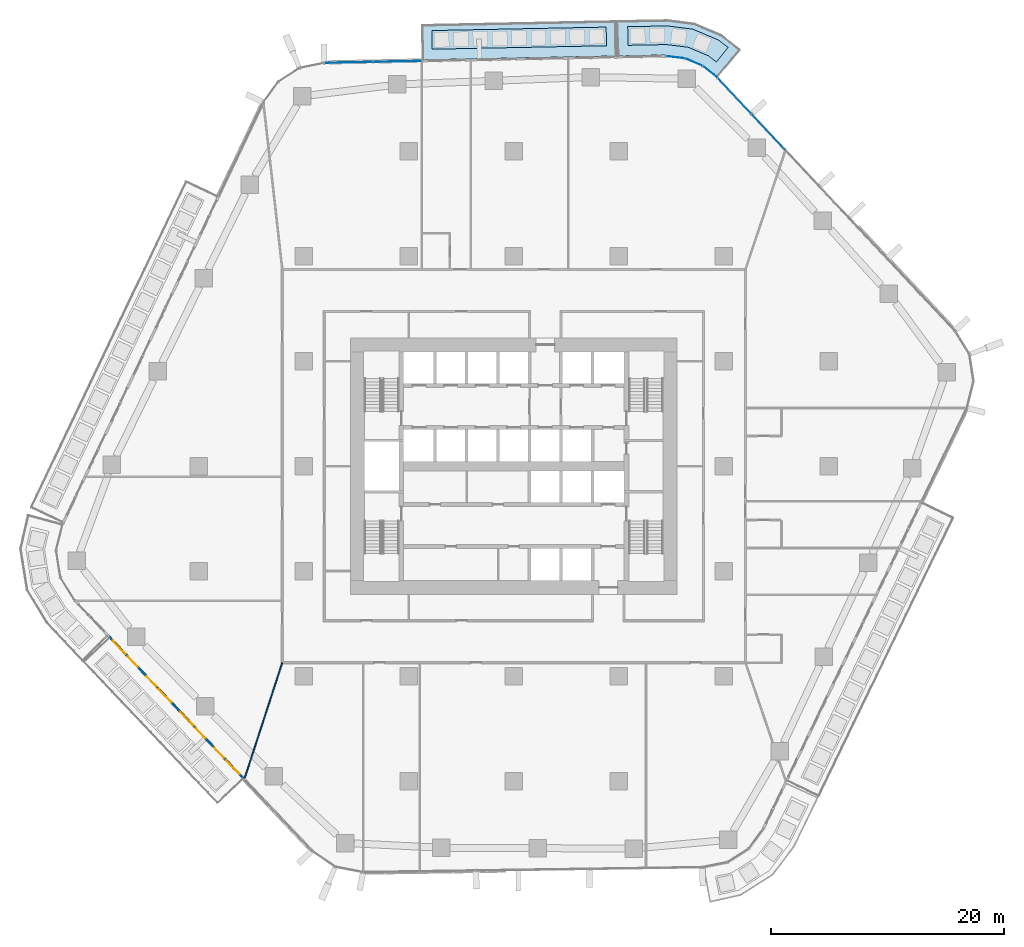
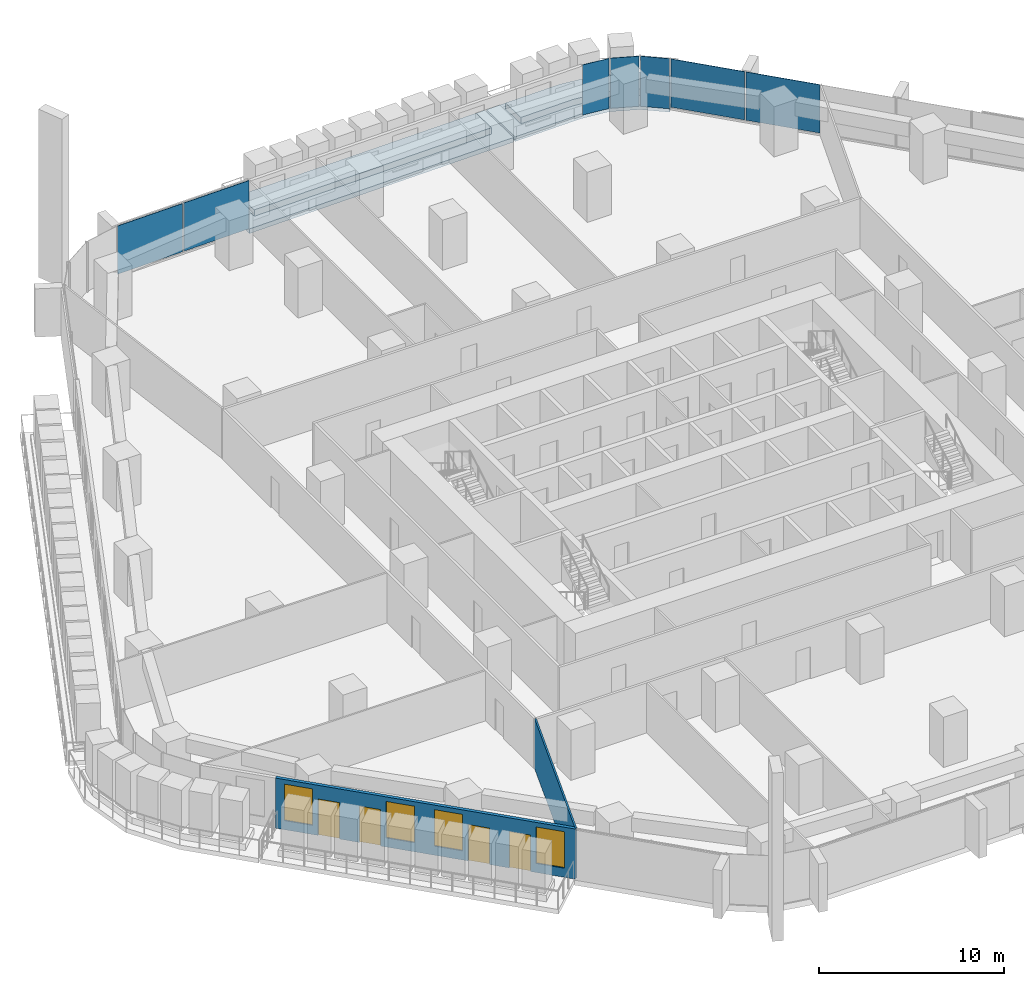
# One storey, part 11 of 24: 7 plates, 4 doors, 4 slabs, 4 windows, 2 walls, 8 openings, 3 elements without a shape of their own.
"""IFC4 building model written with IfcOpenShell, lengths in metres."""

from ifc_helpers import new_model, si_unit, direction, frame, frame_2d, origin, origin_2d, place, context, subcontext, project, spatial, polyline, rectangle, outline, extrude, material, layer, layer_set, type_object, element, fill, aggregate, save


model = new_model("IFC4")

# Units and contexts
model_context = context("Model", 3, precision=1e-05, world=origin(), true_north=direction((0.0, 1.0)))
body_context = subcontext(model_context, "Body", "Model", "MODEL_VIEW")
ifc_project = project(units=[si_unit("LENGTHUNIT", "METRE"), si_unit("AREAUNIT", "SQUARE_METRE"), si_unit("VOLUMEUNIT", "CUBIC_METRE"), si_unit("PLANEANGLEUNIT", "RADIAN"), si_unit("MASSUNIT", "GRAM", prefix="KILO")], contexts=[model_context])

# Site, building, storey
site_placement = place(None, origin())
site = spatial("IfcSite", under=ifc_project, at=site_placement, CompositionType="ELEMENT")
building_placement = place(site_placement, origin())
building = spatial("IfcBuilding", under=site, at=building_placement, Name="Dongbaek Canopy Tower", CompositionType="ELEMENT")
storey_placement = place(building_placement, frame((0.0, 0.0, 44.0)))
storey = spatial("IfcBuildingStorey", under=building, at=storey_placement, Name="L06", CompositionType="ELEMENT", Elevation=44.0)

# Slabs
ifc_material_1 = material(Name="Concrete C40/50", Category="concrete")
ifc_layer_1 = layer(ifc_material_1, 0.300048828125)
ifc_layer_set_1 = layer_set([ifc_layer_1], Name="Balcony slab 300")
slab_type_1 = type_object("IfcSlabType", Name="Balcony slab 300", PredefinedType="FLOOR", material=ifc_layer_set_1)
slab_1_placement = place(storey_placement, frame((0.0, 0.0, -0.300048828125)))
element("IfcSlab", 1, at=slab_1_placement, inside=storey, type_object=slab_type_1, Name="Balcony L06 1", PredefinedType="FLOOR", context=body_context, shape_type="SweptSolid", body=[
    extrude(outline(polyline([(8.809814453125, 35.161865234375), (-7.839599609375, 34.829833984375), (-7.8994140625, 37.829345703125), (8.75, 38.1611328125), (8.809814453125, 35.161865234375)])), origin(), (0.0, 0.0, 1.0), 0.300048828125),
])
slab_2_placement = place(storey_placement, frame((0.0, 0.0, -0.300048828125)))
element("IfcSlab", 2, at=slab_2_placement, inside=storey, type_object=slab_type_1, Name="Balcony L06 5", PredefinedType="FLOOR", context=body_context, shape_type="SweptSolid", body=[
    extrude(outline(polyline([(17.50390625, 33.383544921875), (16.24267578125, 34.39892578125), (14.704345703125, 35.046875), (13.047119140625, 35.24609375), (8.90966796875, 35.163818359375), (8.849853515625, 38.1630859375), (13.196533203125, 38.242431640625), (15.47314453125, 37.94677734375), (17.780517578125, 36.974609375), (19.38525390625, 35.72021484375), (17.50390625, 33.383544921875)])), origin(), (0.0, 0.0, 1.0), 0.300048828125),
])

# Curtain wall, plates
ifc_material_2 = material(Name="Aluminium 6063-T6 pale anodised", Category="aluminium")
ifc_layer_2 = layer(ifc_material_2, 0.199951171875)
ifc_layer_set_2 = layer_set([ifc_layer_2], Name="CW-1 unitised tower curtain wall")
curtain_wall_type = type_object("IfcCurtainWallType", Name="CW-1 unitised tower curtain wall", PredefinedType="NOTDEFINED", material=ifc_layer_set_2)
curtain_wall_1_placement = place(storey_placement, origin())
curtain_wall_1 = element("IfcCurtainWall", 3, at=curtain_wall_1_placement, inside=storey, type_object=curtain_wall_type, Name="CW-1 curtain wall F0.1", PredefinedType="NOTDEFINED")
ifc_material_3 = material(Name="Clear laminated glass", Category="glass")
ifc_layer_3 = layer(ifc_material_3, 0.028076171875)
ifc_layer_set_3 = layer_set([ifc_layer_3], Name="CW-1 glazed panel 28")
plate_type = type_object("IfcPlateType", Name="CW-1 glazed panel 28", PredefinedType="CURTAIN_PANEL", material=ifc_layer_set_3)
plate_1_placement = place(storey_placement, frame((21.830078125, 28.63525390625, 0.1201171875), z_axis=(0.0, 0.0, 1.0), x_axis=(-0.684120242484, 0.729369243815, 0.0)))
plate_1 = element("IfcPlate", 4, at=plate_1_placement, type_object=plate_type, Name="CW-1 panel F0.1.6.1", PredefinedType="CURTAIN_PANEL", context=body_context, shape_type="SweptSolid", body=[
    extrude(rectangle(XDim=4.164794921875, YDim=0.028076171875, at=origin_2d()), origin(), (0.0, 0.0, 1.0), 3.179931640625),
])
plate_2_placement = place(storey_placement, frame((18.925537109375, 31.731689453125, 0.1201171875), z_axis=(0.0, 0.0, 1.0), x_axis=(-0.684120242484, 0.729369243815, 0.0)))
plate_2 = element("IfcPlate", 5, at=plate_2_placement, type_object=plate_type, Name="CW-1 panel F0.1.7.1", PredefinedType="CURTAIN_PANEL", context=body_context, shape_type="SweptSolid", body=[
    extrude(rectangle(XDim=4.157958984375, YDim=0.028076171875, at=origin_2d()), origin(), (0.0, 0.0, 1.0), 3.179931640625),
])
aggregate(curtain_wall_1, [plate_1, plate_2])

curtain_wall_2_placement = place(storey_placement, origin())
curtain_wall_2 = element("IfcCurtainWall", 6, at=curtain_wall_2_placement, inside=storey, type_object=curtain_wall_type, Name="CW-1 curtain wall K1.1", PredefinedType="NOTDEFINED")
plate_3_placement = place(storey_placement, frame((16.832763671875, 33.79541015625, 0.0), z_axis=(0.0, 0.0, 1.0), x_axis=(-0.778925916436, 0.627115951562, 0.0)))
plate_3 = element("IfcPlate", 7, at=plate_3_placement, type_object=plate_type, Name="CW-1 panel K1.1.1.1", PredefinedType="CURTAIN_PANEL", context=body_context, shape_type="SweptSolid", body=[
    extrude(rectangle(XDim=1.564208984375, YDim=0.028076171875, at=origin_2d()), origin(), (0.0, 0.0, 1.0), 3.300048828125),
])
plate_4_placement = place(storey_placement, frame((15.4345703125, 34.630859375, 0.0), z_axis=(0.0, 0.0, 1.0), x_axis=(-0.921552400482, 0.388254005988, 0.0)))
plate_4 = element("IfcPlate", 8, at=plate_4_placement, type_object=plate_type, Name="CW-1 panel K1.1.2.1", PredefinedType="CURTAIN_PANEL", context=body_context, shape_type="SweptSolid", body=[
    extrude(rectangle(XDim=1.55712890625, YDim=0.028076171875, at=origin_2d()), origin(), (0.0, 0.0, 1.0), 3.300048828125),
])
plate_5_placement = place(storey_placement, frame((13.860107421875, 35.0478515625, 0.0), z_axis=(0.0, 0.0, 1.0), x_axis=(-0.992853177302, 0.119342231926, 0.0)))
plate_5 = element("IfcPlate", 9, at=plate_5_placement, type_object=plate_type, Name="CW-1 panel K1.1.3.1", PredefinedType="CURTAIN_PANEL", context=body_context, shape_type="SweptSolid", body=[
    extrude(rectangle(XDim=1.564208984375, YDim=0.028076171875, at=origin_2d()), origin(), (0.0, 0.0, 1.0), 3.300048828125),
])
aggregate(curtain_wall_2, [plate_3, plate_4, plate_5])

curtain_wall_3_placement = place(storey_placement, origin())
curtain_wall_3 = element("IfcCurtainWall", 10, at=curtain_wall_3_placement, inside=storey, type_object=curtain_wall_type, Name="CW-1 curtain wall F1.1", PredefinedType="NOTDEFINED")
plate_6_placement = place(storey_placement, frame((-9.981201171875, 34.687255859375, 0.1201171875), z_axis=(0.0, 0.0, 1.0), x_axis=(-0.999801462382, -0.019925757664, 0.0)))
plate_6 = element("IfcPlate", 11, at=plate_6_placement, type_object=plate_type, Name="CW-1 panel F1.1.1.1", PredefinedType="CURTAIN_PANEL", context=body_context, shape_type="SweptSolid", body=[
    extrude(rectangle(XDim=4.104248046875, YDim=0.028076171875, at=origin_2d()), origin(), (0.0, 0.0, 1.0), 3.179931640625),
])
plate_7_placement = place(storey_placement, frame((-14.1640625, 34.603759765625, 0.1201171875), z_axis=(0.0, 0.0, 1.0), x_axis=(-0.999801462382, -0.019925757664, 0.0)))
plate_7 = element("IfcPlate", 12, at=plate_7_placement, type_object=plate_type, Name="CW-1 panel F1.1.2.1", PredefinedType="CURTAIN_PANEL", context=body_context, shape_type="SweptSolid", body=[
    extrude(rectangle(XDim=4.094970703125, YDim=0.028076171875, at=origin_2d()), origin(), (0.0, 0.0, 1.0), 3.179931640625),
])
aggregate(curtain_wall_3, [plate_6, plate_7])

# Slabs
ifc_material_4 = material(Name="Reinforced concrete C40/50 planter box with soil", Category="concrete")
ifc_layer_4 = layer(ifc_material_4, 0.419921875)
ifc_layer_set_4 = layer_set([ifc_layer_4], Name="Terrace planter box 1600 x 420")
slab_type_2 = type_object("IfcSlabType", Name="Terrace planter box 1600 x 420", PredefinedType="USERDEFINED", material=ifc_layer_set_4)
slab_3_placement = place(storey_placement, origin())
element("IfcSlab", 13, at=slab_3_placement, inside=storey, type_object=slab_type_2, Name="Balcony planter L06 1", ObjectType="PLANTER", PredefinedType="USERDEFINED", context=body_context, shape_type="SweptSolid", body=[
    extrude(outline(polyline([(7.942138671875, 36.03466796875), (-7.007568359375, 35.736572265625), (-7.039306640625, 37.33642578125), (7.91015625, 37.63427734375), (7.942138671875, 36.03466796875)])), origin(), (0.0, 0.0, 1.0), 0.419921875),
])
slab_4_placement = place(storey_placement, origin())
element("IfcSlab", 14, at=slab_4_placement, inside=storey, type_object=slab_type_2, Name="Balcony planter L06 5", ObjectType="PLANTER", PredefinedType="USERDEFINED", context=body_context, shape_type="SweptSolid", body=[
    extrude(outline(polyline([(17.36083984375, 34.64111328125), (16.698974609375, 35.1630859375), (14.932373046875, 35.9072265625), (13.09130859375, 36.135009765625), (9.791748046875, 36.071533203125), (9.759765625, 37.671142578125), (13.171142578125, 37.733154296875), (15.342529296875, 37.453857421875), (17.51904296875, 36.536865234375), (18.3642578125, 35.887451171875), (17.36083984375, 34.64111328125)])), origin(), (0.0, 0.0, 1.0), 0.419921875),
])

# Wall
ifc_material_5 = material(Name="Gypsum board partition, steel stud, 2 x 12.5 mm board", Category="steel")
ifc_layer_5 = layer(ifc_material_5, 0.10009765625)
ifc_layer_set_5 = layer_set([ifc_layer_5], Name="Partition 100 gypsum board")
wall_type_1 = type_object("IfcWallType", Name="Partition 100 gypsum board", PredefinedType="PARTITIONING", material=ifc_layer_set_5)
wall_1_placement = place(storey_placement, frame((-23.10107421875, -26.826416015625, 0.0), z_axis=(0.0, 0.0, 1.0), x_axis=(0.309854630824, 0.950783943784, 0.0)))
element("IfcWall", 15, at=wall_1_placement, inside=storey, type_object=wall_type_1, Name="Partition", PredefinedType="PARTITIONING", context=body_context, shape_type="SweptSolid", body=[
    extrude(rectangle(XDim=10.49267578125, YDim=0.10009765625, at=frame_2d((5.246337890625, 0.0))), origin(), (0.0, 0.0, 1.0), 3.300048828125),
])

# Wall, openings, doors, windows
ifc_material_6 = material(Name="Aluminium window wall", Category="aluminium")
ifc_layer_6 = layer(ifc_material_6, 0.199951171875)
ifc_layer_set_6 = layer_set([ifc_layer_6], Name="Window wall 200")
wall_type_2 = type_object("IfcWallType", Name="Window wall 200", PredefinedType="SOLIDWALL", material=ifc_layer_set_6)
wall_2_placement = place(storey_placement, frame((-34.723876953125, -14.59814453125, 0.0), z_axis=(0.0, 0.0, 1.0), x_axis=(0.688093946104, -0.725621610301, 0.0)))
wall_2 = element("IfcWall", 16, at=wall_2_placement, inside=storey, type_object=wall_type_2, Name="Window wall L06 3", PredefinedType="SOLIDWALL", context=body_context, shape_type="SweptSolid", body=[
    extrude(rectangle(XDim=16.882080078125, YDim=0.199951171875, at=frame_2d((8.44091796875, 0.0))), origin(), (0.0, 0.0, 1.0), 3.300048828125),
])
opening_1_placement = place(wall_2_placement, frame((0.5, 0.0, 0.60009765625)))
opening_1 = element("IfcOpeningElement", 17, at=opening_1_placement, cuts=wall_2, Name="Opening W1", PredefinedType="OPENING", context=body_context, shape_type="SweptSolid", body=[
    extrude(rectangle(XDim=1.60009765625, YDim=2.39990234375, at=frame_2d((0.800048828125, 1.199951171875))), frame((0.0, 0.10986328125, 0.0), z_axis=(0.0, -1.0, 0.0), x_axis=(1.0, 0.0, 0.0)), (0.0, 0.0, 1.0), 0.219970703125),
])
opening_2_placement = place(wall_2_placement, frame((2.39990234375, 0.0, 0.0)))
opening_2 = element("IfcOpeningElement", 18, at=opening_2_placement, cuts=wall_2, Name="Opening L06-B13", PredefinedType="OPENING", context=body_context, shape_type="SweptSolid", body=[
    extrude(rectangle(XDim=1.199951171875, YDim=2.39990234375, at=frame_2d((0.60009765625, 1.199951171875))), frame((0.0, 0.10986328125, 0.0), z_axis=(0.0, -1.0, 0.0), x_axis=(1.0, 0.0, 0.0)), (0.0, 0.0, 1.0), 0.219970703125),
])
opening_3_placement = place(wall_2_placement, frame((6.220458984375, 0.0, 0.60009765625)))
opening_3 = element("IfcOpeningElement", 19, at=opening_3_placement, cuts=wall_2, Name="Opening W1", PredefinedType="OPENING", context=body_context, shape_type="SweptSolid", body=[
    extrude(rectangle(XDim=1.60009765625, YDim=2.39990234375, at=frame_2d((0.800048828125, 1.199951171875))), frame((0.0, 0.10986328125, 0.0), z_axis=(0.0, -1.0, 0.0), x_axis=(1.0, 0.0, 0.0)), (0.0, 0.0, 1.0), 0.219970703125),
])
opening_4_placement = place(wall_2_placement, frame((4.720458984375, 0.0, 0.0)))
opening_4 = element("IfcOpeningElement", 20, at=opening_4_placement, cuts=wall_2, Name="Opening L06-B14", PredefinedType="OPENING", context=body_context, shape_type="SweptSolid", body=[
    extrude(rectangle(XDim=1.199951171875, YDim=2.39990234375, at=frame_2d((0.60009765625, 1.199951171875))), frame((0.0, 0.10986328125, 0.0), z_axis=(0.0, -1.0, 0.0), x_axis=(1.0, 0.0, 0.0)), (0.0, 0.0, 1.0), 0.219970703125),
])
opening_5_placement = place(wall_2_placement, frame((8.941162109375, 0.0, 0.60009765625)))
opening_5 = element("IfcOpeningElement", 21, at=opening_5_placement, cuts=wall_2, Name="Opening W1", PredefinedType="OPENING", context=body_context, shape_type="SweptSolid", body=[
    extrude(rectangle(XDim=1.60009765625, YDim=2.39990234375, at=frame_2d((0.800048828125, 1.199951171875))), frame((0.0, 0.10986328125, 0.0), z_axis=(0.0, -1.0, 0.0), x_axis=(1.0, 0.0, 0.0)), (0.0, 0.0, 1.0), 0.219970703125),
])
opening_6_placement = place(wall_2_placement, frame((10.841064453125, 0.0, 0.0)))
opening_6 = element("IfcOpeningElement", 22, at=opening_6_placement, cuts=wall_2, Name="Opening L06-B15", PredefinedType="OPENING", context=body_context, shape_type="SweptSolid", body=[
    extrude(rectangle(XDim=1.199951171875, YDim=2.39990234375, at=frame_2d((0.60009765625, 1.199951171875))), frame((0.0, 0.10986328125, 0.0), z_axis=(0.0, -1.0, 0.0), x_axis=(1.0, 0.0, 0.0)), (0.0, 0.0, 1.0), 0.219970703125),
])
opening_7_placement = place(wall_2_placement, frame((14.66162109375, 0.0, 0.60009765625)))
opening_7 = element("IfcOpeningElement", 23, at=opening_7_placement, cuts=wall_2, Name="Opening W1", PredefinedType="OPENING", context=body_context, shape_type="SweptSolid", body=[
    extrude(rectangle(XDim=1.60009765625, YDim=2.39990234375, at=frame_2d((0.800048828125, 1.199951171875))), frame((0.0, 0.10986328125, 0.0), z_axis=(0.0, -1.0, 0.0), x_axis=(1.0, 0.0, 0.0)), (0.0, 0.0, 1.0), 0.219970703125),
])
opening_8_placement = place(wall_2_placement, frame((13.16162109375, 0.0, 0.0)))
opening_8 = element("IfcOpeningElement", 24, at=opening_8_placement, cuts=wall_2, Name="Opening L06-B16", PredefinedType="OPENING", context=body_context, shape_type="SweptSolid", body=[
    extrude(rectangle(XDim=1.199951171875, YDim=2.39990234375, at=frame_2d((0.60009765625, 1.199951171875))), frame((0.0, 0.10986328125, 0.0), z_axis=(0.0, -1.0, 0.0), x_axis=(1.0, 0.0, 0.0)), (0.0, 0.0, 1.0), 0.219970703125),
])
ifc_material_7 = material(Name="Clear glazing in aluminium frame", Category="aluminium")
door_type = type_object("IfcDoorType", Name="Balcony door BD1 1200 x 2400", OperationType="SLIDING_TO_LEFT", PredefinedType="DOOR", material=ifc_material_7)
door_1_placement = place(opening_2_placement, origin())
door_1 = element("IfcDoor", 25, at=door_1_placement, inside=storey, type_object=door_type, Name="Balcony door L06-B13", OperationType="SLIDING_TO_LEFT", OverallHeight=2.39990234375, OverallWidth=1.199951171875, PredefinedType="DOOR", context=body_context, shape_type="SweptSolid", body=[
    extrude(rectangle(XDim=1.199951171875, YDim=2.39990234375, at=frame_2d((0.60009765625, 1.199951171875))), frame((0.0, 0.02490234375, 0.0), z_axis=(0.0, -1.0, 0.0), x_axis=(1.0, 0.0, 0.0)), (0.0, 0.0, 1.0), 0.050048828125),
])
fill(opening_2, door_1)
door_2_placement = place(opening_4_placement, origin())
door_2 = element("IfcDoor", 26, at=door_2_placement, inside=storey, type_object=door_type, Name="Balcony door L06-B14", OperationType="SLIDING_TO_LEFT", OverallHeight=2.39990234375, OverallWidth=1.199951171875, PredefinedType="DOOR", context=body_context, shape_type="SweptSolid", body=[
    extrude(rectangle(XDim=1.199951171875, YDim=2.39990234375, at=frame_2d((0.60009765625, 1.199951171875))), frame((0.0, 0.02490234375, 0.0), z_axis=(0.0, -1.0, 0.0), x_axis=(1.0, 0.0, 0.0)), (0.0, 0.0, 1.0), 0.050048828125),
])
fill(opening_4, door_2)
door_3_placement = place(opening_6_placement, origin())
door_3 = element("IfcDoor", 27, at=door_3_placement, inside=storey, type_object=door_type, Name="Balcony door L06-B15", OperationType="SLIDING_TO_LEFT", OverallHeight=2.39990234375, OverallWidth=1.199951171875, PredefinedType="DOOR", context=body_context, shape_type="SweptSolid", body=[
    extrude(rectangle(XDim=1.199951171875, YDim=2.39990234375, at=frame_2d((0.60009765625, 1.199951171875))), frame((0.0, 0.02490234375, 0.0), z_axis=(0.0, -1.0, 0.0), x_axis=(1.0, 0.0, 0.0)), (0.0, 0.0, 1.0), 0.050048828125),
])
fill(opening_6, door_3)
door_4_placement = place(opening_8_placement, origin())
door_4 = element("IfcDoor", 28, at=door_4_placement, inside=storey, type_object=door_type, Name="Balcony door L06-B16", OperationType="SLIDING_TO_LEFT", OverallHeight=2.39990234375, OverallWidth=1.199951171875, PredefinedType="DOOR", context=body_context, shape_type="SweptSolid", body=[
    extrude(rectangle(XDim=1.199951171875, YDim=2.39990234375, at=frame_2d((0.60009765625, 1.199951171875))), frame((0.0, 0.02490234375, 0.0), z_axis=(0.0, -1.0, 0.0), x_axis=(1.0, 0.0, 0.0)), (0.0, 0.0, 1.0), 0.050048828125),
])
fill(opening_8, door_4)
ifc_material_8 = material(Name="Clear glazing in aluminium frame", Category="aluminium")
window_type = type_object("IfcWindowType", Name="Window W1 1600 x 2400", PartitioningType="SINGLE_PANEL", PredefinedType="WINDOW", material=ifc_material_8)
window_1_placement = place(opening_1_placement, origin())
window_1 = element("IfcWindow", 29, at=window_1_placement, inside=storey, type_object=window_type, Name="Window L06 3.1", OverallHeight=2.39990234375, OverallWidth=1.60009765625, PartitioningType="SINGLE_PANEL", PredefinedType="WINDOW", context=body_context, shape_type="SweptSolid", body=[
    extrude(rectangle(XDim=1.60009765625, YDim=2.39990234375, at=frame_2d((0.800048828125, 1.199951171875))), frame((0.0, 0.030029296875, 0.0), z_axis=(0.0, -1.0, 0.0), x_axis=(1.0, 0.0, 0.0)), (0.0, 0.0, 1.0), 0.06005859375),
])
fill(opening_1, window_1)
window_2_placement = place(opening_3_placement, origin())
window_2 = element("IfcWindow", 30, at=window_2_placement, inside=storey, type_object=window_type, Name="Window L06 3.2", OverallHeight=2.39990234375, OverallWidth=1.60009765625, PartitioningType="SINGLE_PANEL", PredefinedType="WINDOW", context=body_context, shape_type="SweptSolid", body=[
    extrude(rectangle(XDim=1.60009765625, YDim=2.39990234375, at=frame_2d((0.800048828125, 1.199951171875))), frame((0.0, 0.030029296875, 0.0), z_axis=(0.0, -1.0, 0.0), x_axis=(1.0, 0.0, 0.0)), (0.0, 0.0, 1.0), 0.06005859375),
])
fill(opening_3, window_2)
window_3_placement = place(opening_5_placement, origin())
window_3 = element("IfcWindow", 31, at=window_3_placement, inside=storey, type_object=window_type, Name="Window L06 3.3", OverallHeight=2.39990234375, OverallWidth=1.60009765625, PartitioningType="SINGLE_PANEL", PredefinedType="WINDOW", context=body_context, shape_type="SweptSolid", body=[
    extrude(rectangle(XDim=1.60009765625, YDim=2.39990234375, at=frame_2d((0.800048828125, 1.199951171875))), frame((0.0, 0.030029296875, 0.0), z_axis=(0.0, -1.0, 0.0), x_axis=(1.0, 0.0, 0.0)), (0.0, 0.0, 1.0), 0.06005859375),
])
fill(opening_5, window_3)
window_4_placement = place(opening_7_placement, origin())
window_4 = element("IfcWindow", 32, at=window_4_placement, inside=storey, type_object=window_type, Name="Window L06 3.4", OverallHeight=2.39990234375, OverallWidth=1.60009765625, PartitioningType="SINGLE_PANEL", PredefinedType="WINDOW", context=body_context, shape_type="SweptSolid", body=[
    extrude(rectangle(XDim=1.60009765625, YDim=2.39990234375, at=frame_2d((0.800048828125, 1.199951171875))), frame((0.0, 0.030029296875, 0.0), z_axis=(0.0, -1.0, 0.0), x_axis=(1.0, 0.0, 0.0)), (0.0, 0.0, 1.0), 0.06005859375),
])
fill(opening_7, window_4)

save(model, "model.ifc")
